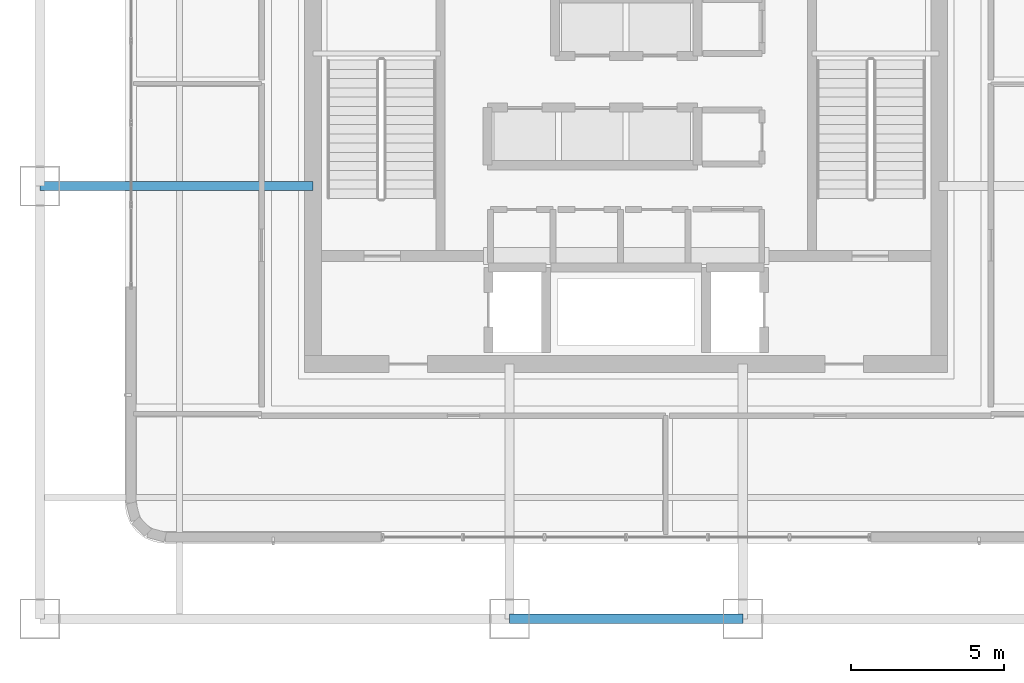
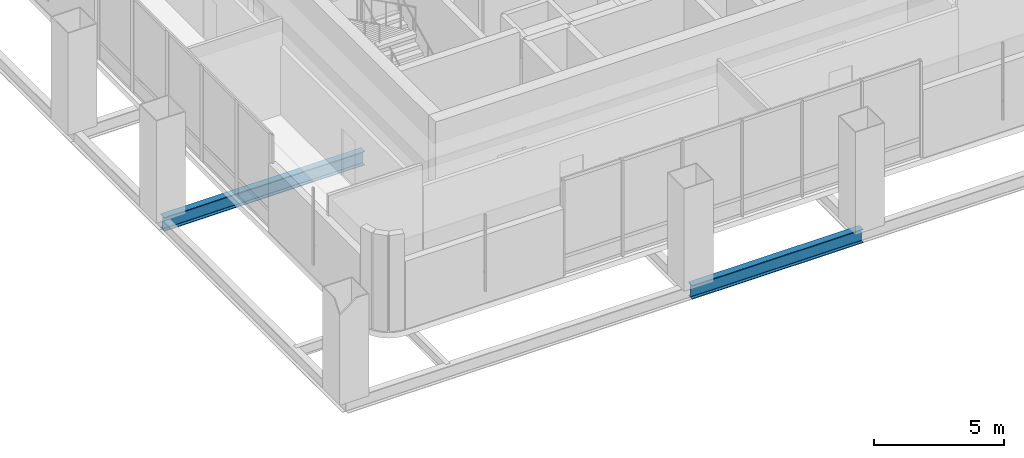
# One storey, part 3 of 33: 2 beams.
"""IFC4 building model written with IfcOpenShell, lengths in metres."""

from ifc_helpers import new_model, si_unit, direction, frame, origin, origin_2d, place, context, subcontext, project, spatial, i_section, extrude, material, material_profile, profile_set, type_object, element, save


model = new_model("IFC4")

# Units and contexts
model_context = context("Model", 3, precision=1e-05, world=origin(), true_north=direction((0.0, 1.0)))
body_context = subcontext(model_context, "Body", "Model", "MODEL_VIEW")
ifc_project = project(units=[si_unit("LENGTHUNIT", "METRE"), si_unit("AREAUNIT", "SQUARE_METRE"), si_unit("VOLUMEUNIT", "CUBIC_METRE"), si_unit("PLANEANGLEUNIT", "RADIAN"), si_unit("MASSUNIT", "GRAM", prefix="KILO")], contexts=[model_context])

# Site, building, storey
site_placement = place(None, origin())
site = spatial("IfcSite", under=ifc_project, at=site_placement, CompositionType="ELEMENT")
building_placement = place(site_placement, origin())
building = spatial("IfcBuilding", under=site, at=building_placement, Name="Punatoya Terracotta Tower", CompositionType="ELEMENT")
storey_placement = place(building_placement, frame((0.0, 0.0, 246.60009765625)))
storey = spatial("IfcBuildingStorey", under=building, at=storey_placement, Name="L58", CompositionType="ELEMENT", Elevation=246.60009765625)

# Beams
ifc_material = material(Name="Steel S355", Category="steel")
ifc_material_profile = material_profile(ifc_material, i_section(OverallWidth=0.300048828125, OverallDepth=0.64990234375, WebThickness=0.01611328125, FlangeThickness=0.031005859375, FilletRadius=0.01806640625, at=origin_2d()))
ifc_profile_set = profile_set([ifc_material_profile], Name="Steel S355")
beam_type = type_object("IfcBeamType", Name="BM-PRI-650", PredefinedType="BEAM", material=ifc_profile_set)
beam_1_placement = place(storey_placement, frame((-3.800048828125, -17.5, -0.585205078125), z_axis=(1.0, 0.0, 0.0), x_axis=(0.0, 1.0, 0.0)))
element("IfcBeam", 1, at=beam_1_placement, inside=storey, type_object=beam_type, Name="BM-L58-RG-S2", PredefinedType="BEAM", context=body_context, shape_type="SweptSolid", body=[
    extrude(i_section(OverallWidth=0.300048828125, OverallDepth=0.64990234375, WebThickness=0.01611328125, FlangeThickness=0.031005859375, FilletRadius=0.01806640625, at=origin_2d()), origin(), (0.0, 0.0, 1.0), 7.60009765625),
])
beam_2_placement = place(storey_placement, frame((-19.10009765625, -3.39990234375, -0.585205078125), z_axis=(1.0, 0.0, 0.0), x_axis=(0.0, 1.0, 0.0)))
element("IfcBeam", 2, at=beam_2_placement, inside=storey, type_object=beam_type, Name="BM-L58-PR-WD", PredefinedType="BEAM", context=body_context, shape_type="SweptSolid", body=[
    extrude(i_section(OverallWidth=0.300048828125, OverallDepth=0.64990234375, WebThickness=0.01611328125, FlangeThickness=0.031005859375, FilletRadius=0.01806640625, at=origin_2d()), origin(), (0.0, 0.0, 1.0), 8.900146484375),
])

save(model, "model.ifc")
